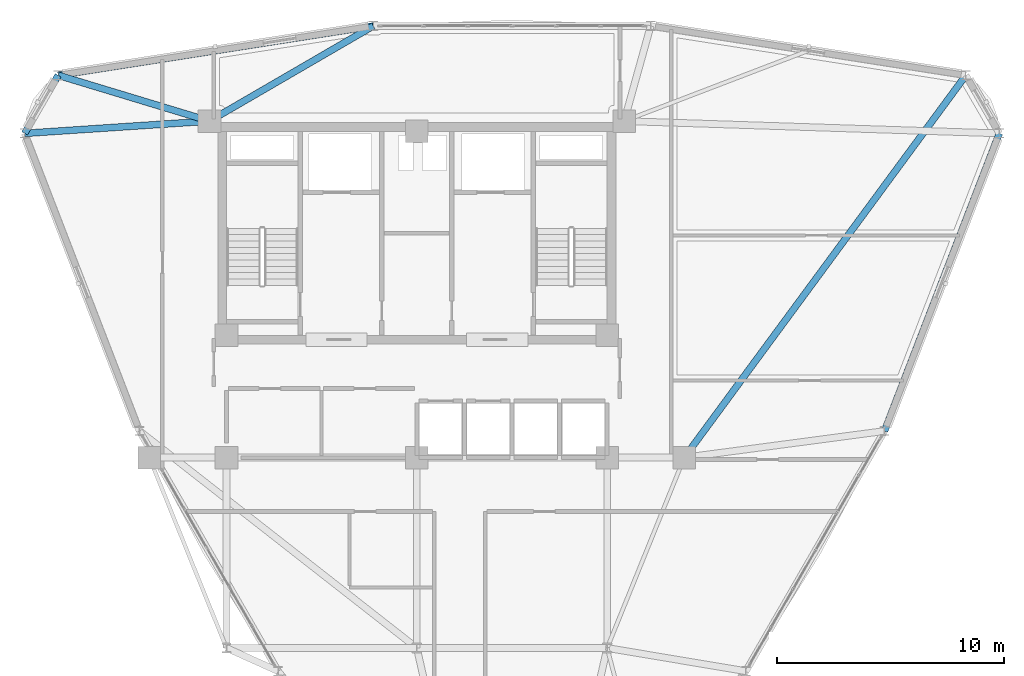
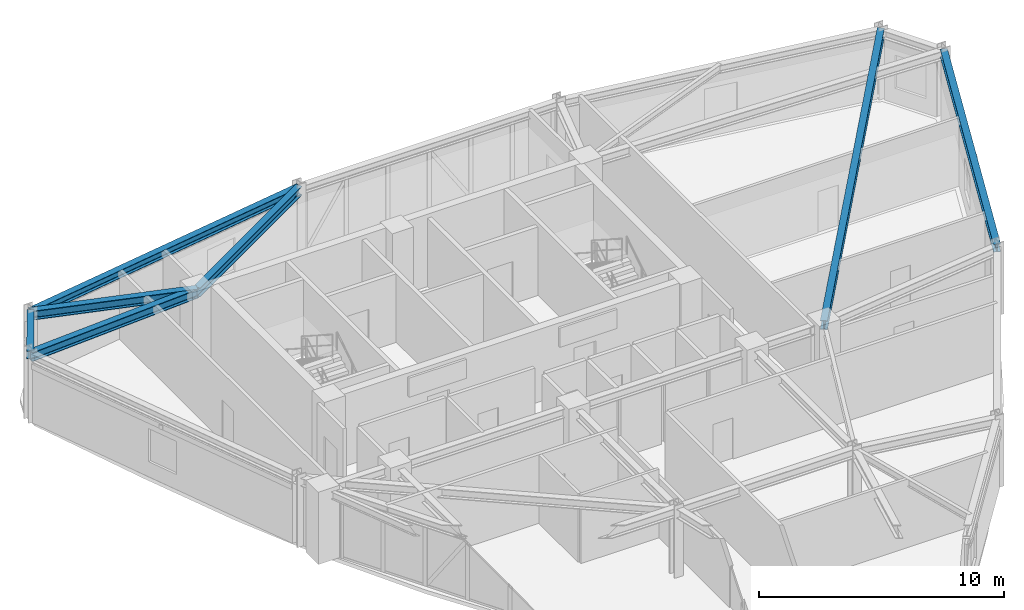
# One storey, part 8 of 16: 7 beams.
"""IFC4 building model written with IfcOpenShell, lengths in metres."""

from ifc_helpers import new_model, si_unit, derived_unit, direction, frame, origin, origin_2d, place, context, subcontext, project, spatial, i_section, extrude, source, transform, mapped, material, material_profile, profile_set, type_object, element, save


model = new_model("IFC4")

# Units and contexts
model_context = context("Model", 3, precision=1e-05, world=origin(), true_north=direction((0.0, 1.0)))
body_context = subcontext(model_context, "Body", "Model", "MODEL_VIEW")
ifc_project = project(units=[si_unit("LENGTHUNIT", "METRE"), si_unit("AREAUNIT", "SQUARE_METRE"), si_unit("VOLUMEUNIT", "CUBIC_METRE"), si_unit("PLANEANGLEUNIT", "RADIAN"), si_unit("MASSUNIT", "GRAM", prefix="KILO"), derived_unit("THERMALTRANSMITTANCEUNIT", [(si_unit("POWERUNIT", "WATT"), 1), (si_unit("LENGTHUNIT", "METRE"), -2), (si_unit("THERMODYNAMICTEMPERATUREUNIT", "KELVIN"), -1)])], contexts=[model_context])

# Site, building, storey
site_placement = place(None, origin())
site = spatial("IfcSite", under=ifc_project, at=site_placement, CompositionType="ELEMENT")
building_placement = place(site_placement, origin())
building = spatial("IfcBuilding", under=site, at=building_placement, Name="Korsvarv Bourse and Concert Hall", CompositionType="ELEMENT")
storey_placement = place(building_placement, frame((0.0, 0.0, 216.60009765625)))
storey = spatial("IfcBuildingStorey", under=building, at=storey_placement, Name="L56", CompositionType="ELEMENT", Elevation=216.60009765625)

# Beams
ifc_material = material(Name="Steel S355", Category="steel")
ifc_material_profile_1 = material_profile(ifc_material, i_section(OverallWidth=0.300048828125, OverallDepth=0.389892578125, WebThickness=0.010986328125, FlangeThickness=0.01904296875, FilletRadius=0.02099609375, at=origin_2d()), Name="HEA 400")
ifc_profile_set_1 = profile_set([ifc_material_profile_1], Name="Steel S355")
beam_type_1 = type_object("IfcBeamType", Name="BM-HEA400", PredefinedType="BEAM", material=ifc_profile_set_1)
shared_shape_1 = source(origin(), body_context, "Body", "SweptSolid", [
    extrude(i_section(OverallWidth=0.300048828125, OverallDepth=0.389892578125, WebThickness=0.010986328125, FlangeThickness=0.01904296875, FilletRadius=0.02099609375, at=origin_2d()), origin(), (0.0, 0.0, 1.0), 14.077880859375),
])
for number, where, z_axis, x_axis, name in (
    (1, (34.0810546875, 51.449951171875, 3.21484375), (-0.987954433111, -0.154745074545, 0.0), (0.154745074545, -0.987954433111, 0.0), "L56 beam B-11"),
    (2, (56.639404296875, 33.57421875, 3.21484375), (0.359967818551, 0.932964720452, 0.0), (-0.932964720452, 0.359967818551, 0.0), "L56 beam B-11"),
):
    element("IfcBeam", number, at=place(storey_placement, frame(where, z_axis=z_axis, x_axis=x_axis)), inside=storey, type_object=beam_type_1, Name=name, PredefinedType="BEAM", context=body_context, shape_type="MappedRepresentation", body=[
        mapped(shared_shape_1, transform((0.0, 0.0, 0.0), scale=1.0)),
    ])
shared_shape_2 = source(origin(), body_context, "Body", "SweptSolid", [
    extrude(i_section(OverallWidth=0.300048828125, OverallDepth=0.389892578125, WebThickness=0.010986328125, FlangeThickness=0.01904296875, FilletRadius=0.02099609375, at=origin_2d()), origin(), (0.0, 0.0, 1.0), 2.959716796875),
])
beam_1_placement = place(storey_placement, frame((20.1728515625, 49.271484375, 3.21484375), z_axis=(-0.50006043627, -0.865990508076, 0.0), x_axis=(0.865990508076, -0.50006043627, 0.0)))
element("IfcBeam", 3, at=beam_1_placement, inside=storey, type_object=beam_type_1, Name="L56 beam B-11", PredefinedType="BEAM", context=body_context, shape_type="MappedRepresentation", body=[
    mapped(shared_shape_2, transform((0.0, 0.0, 0.0), scale=1.0)),
])
ifc_material_profile_2 = material_profile(ifc_material, i_section(OverallWidth=0.300048828125, OverallDepth=0.449951171875, WebThickness=0.013916015625, FlangeThickness=0.02587890625, FilletRadius=0.02099609375, at=origin_2d()), Name="HEB 450")
ifc_profile_set_2 = profile_set([ifc_material_profile_2], Name="Steel S355")
beam_type_2 = type_object("IfcBeamType", Name="BM-HEB450", PredefinedType="SPANDREL", material=ifc_profile_set_2)
shared_shape_3 = source(origin(), body_context, "Body", "SweptSolid", [
    extrude(i_section(OverallWidth=0.300048828125, OverallDepth=0.449951171875, WebThickness=0.013916015625, FlangeThickness=0.02587890625, FilletRadius=0.02099609375, at=origin_2d()), origin(), (0.0, 0.0, 1.0), 20.954345703125),
])
beam_2_placement = place(storey_placement, frame((60.227294921875, 49.271484375, 3.184814453125), z_axis=(-0.593061517775, -0.805157149962, 0.0), x_axis=(0.805157149962, -0.593061517775, 0.0)))
element("IfcBeam", 4, at=beam_2_placement, inside=storey, type_object=beam_type_2, Name="L56 beam B-08", PredefinedType="SPANDREL", context=body_context, shape_type="MappedRepresentation", body=[
    mapped(shared_shape_3, transform((0.0, 0.0, 0.0), scale=1.0)),
])
shared_shape_4 = source(origin(), body_context, "Body", "SweptSolid", [
    extrude(i_section(OverallWidth=0.300048828125, OverallDepth=0.449951171875, WebThickness=0.013916015625, FlangeThickness=0.02587890625, FilletRadius=0.02099609375, at=origin_2d()), origin(), (0.0, 0.0, 1.0), 8.3623046875),
])
beam_3_placement = place(storey_placement, frame((34.0810546875, 51.449951171875, 3.184814453125), z_axis=(-0.864719822868, -0.502254544966, 0.0), x_axis=(0.502254544966, -0.864719822868, 0.0)))
element("IfcBeam", 5, at=beam_3_placement, inside=storey, type_object=beam_type_2, Name="L56 beam B-08", PredefinedType="SPANDREL", context=body_context, shape_type="MappedRepresentation", body=[
    mapped(shared_shape_4, transform((0.0, 0.0, 0.0), scale=1.0)),
])
shared_shape_5 = source(origin(), body_context, "Body", "SweptSolid", [
    extrude(i_section(OverallWidth=0.300048828125, OverallDepth=0.449951171875, WebThickness=0.013916015625, FlangeThickness=0.02587890625, FilletRadius=0.02099609375, at=origin_2d()), origin(), (0.0, 0.0, 1.0), 6.9765625),
])
beam_4_placement = place(storey_placement, frame((20.1728515625, 49.271484375, 3.184814453125), z_axis=(0.957100894099, -0.289754859347, 0.0), x_axis=(0.289754859347, 0.957100894099, 0.0)))
element("IfcBeam", 6, at=beam_4_placement, inside=storey, type_object=beam_type_2, Name="L56 beam B-08", PredefinedType="SPANDREL", context=body_context, shape_type="MappedRepresentation", body=[
    mapped(shared_shape_5, transform((0.0, 0.0, 0.0), scale=1.0)),
])
shared_shape_6 = source(origin(), body_context, "Body", "SweptSolid", [
    extrude(i_section(OverallWidth=0.300048828125, OverallDepth=0.449951171875, WebThickness=0.013916015625, FlangeThickness=0.02587890625, FilletRadius=0.02099609375, at=origin_2d()), origin(), (0.0, 0.0, 1.0), 8.17529296875),
])
beam_5_placement = place(storey_placement, frame((18.69287109375, 46.70849609375, 3.184814453125), z_axis=(0.997803882038, 0.066237549694, 0.0), x_axis=(-0.066237549694, 0.997803882038, 0.0)))
element("IfcBeam", 7, at=beam_5_placement, inside=storey, type_object=beam_type_2, Name="L56 beam B-08", PredefinedType="SPANDREL", context=body_context, shape_type="MappedRepresentation", body=[
    mapped(shared_shape_6, transform((0.0, 0.0, 0.0), scale=1.0)),
])

save(model, "model.ifc")
